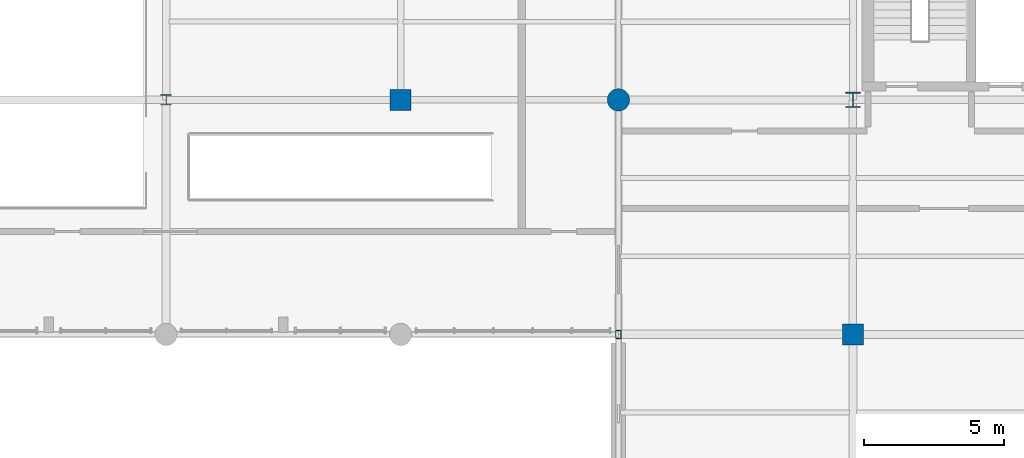
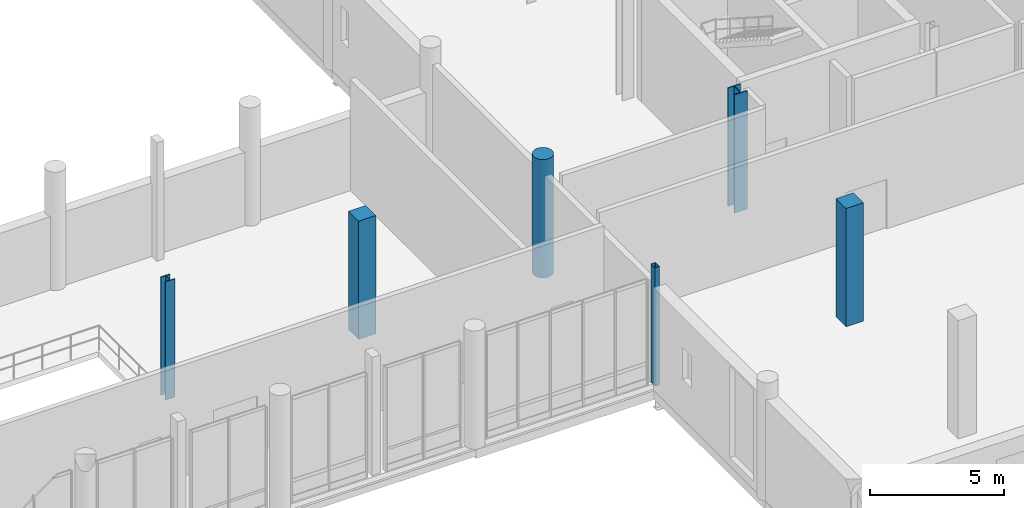
# One storey, part 6 of 128: 6 columns.
"""IFC4 building model written with IfcOpenShell, lengths in metres."""

import ifcopenshell
import ifcopenshell.guid

model = None  # the IFC model being written
_history = None  # IfcOwnerHistory: only IFC2X3 demands one
_inside = {}  # id of a spatial element -> (the spatial element, [elements in it])
_under = {}  # id of a project, library or spatial element -> (it, [spatial elements below it])
_declared = {}  # id of a project -> (the project, [libraries it declares])
_typed = {}  # id of a type object -> (the type object, [elements of that type])
_made_of = {}  # id of a material, layer set ... -> (it, [elements and type objects made of it])


def new_model(schema):
    """Start an empty IFC model of exactly this schema.

    Asked for "IFC4X3", IfcOpenShell would pick the latest addendum, in which some entities
    have other attributes; the version numbers below select the first issue.
    IFC2X3 requires an IfcOwnerHistory on every rooted entity: one is made here for all.
    """
    global model, _history
    if schema == "IFC4X3":
        model = ifcopenshell.file(schema_version=(4, 3, 0, 0))
    else:
        model = ifcopenshell.file(schema=schema)
    _inside.clear()
    _under.clear()
    _declared.clear()
    _typed.clear()
    _made_of.clear()
    _history = None
    if model.schema == "IFC2X3":
        org = make("IfcOrganization", Name="unknown")
        user = make(
            "IfcPersonAndOrganization",
            ThePerson=make("IfcPerson", FamilyName="unknown"),
            TheOrganization=org,
        )
        app = make(
            "IfcApplication",
            ApplicationDeveloper=org,
            Version="unknown",
            ApplicationFullName="unknown",
            ApplicationIdentifier="unknown",
        )
        _history = make(
            "IfcOwnerHistory",
            OwningUser=user,
            OwningApplication=app,
            ChangeAction="ADDED",
            CreationDate=0,
        )
    return model


def make(cls, **values):
    """One entity of the class cls with the attributes given. An attribute that is None is left unset."""
    return model.create_entity(
        cls, **{name: value for name, value in values.items() if value is not None}
    )


def rooted(cls, **values):
    """An entity with a GlobalId (a new one), such as an element, a storey or a relation."""
    return make(cls, GlobalId=ifcopenshell.guid.new(), OwnerHistory=_history, **values)


def si_unit(unit_type, name, prefix=None):
    """IfcSIUnit, for example si_unit("LENGTHUNIT", "METRE", prefix="MILLI")."""
    return make("IfcSIUnit", UnitType=unit_type, Prefix=prefix, Name=name)


def assignment(units):
    """IfcUnitAssignment: the units of a project."""
    return None if units is None else make("IfcUnitAssignment", Units=units)


def point(xyz):
    """IfcCartesianPoint."""
    return None if xyz is None else make("IfcCartesianPoint", Coordinates=xyz)


def direction(xyz):
    """IfcDirection."""
    return None if xyz is None else make("IfcDirection", DirectionRatios=xyz)


def frame(location, z_axis=None, x_axis=None):
    """IfcAxis2Placement3D, a coordinate frame: its origin and axes. An axis left out is left unset."""
    return make(
        "IfcAxis2Placement3D",
        Location=point(location),
        Axis=direction(z_axis),
        RefDirection=direction(x_axis),
    )


def frame_2d(location, x_axis=None):
    """IfcAxis2Placement2D, a coordinate frame in the plane: its origin and x axis."""
    return make(
        "IfcAxis2Placement2D", Location=point(location), RefDirection=direction(x_axis)
    )


def origin_with_axes():
    """The frame at (0, 0, 0) with the z axis (0, 0, 1) and the x axis (1, 0, 0) written out."""
    return frame((0.0, 0.0, 0.0), z_axis=(0.0, 0.0, 1.0), x_axis=(1.0, 0.0, 0.0))


def origin_2d_with_axis():
    """The frame at (0, 0) in the plane with the x axis (1, 0) written out."""
    return frame_2d((0.0, 0.0), x_axis=(1.0, 0.0))


def place(relative_to, where):
    """IfcLocalPlacement: puts the frame where relative to a parent placement (None: the world)."""
    return make(
        "IfcLocalPlacement", PlacementRelTo=relative_to, RelativePlacement=where
    )


def context(
    kind, dimensions, precision=None, world=None, true_north=None, identifier=None
):
    """IfcGeometricRepresentationContext, for example the 3D "Model" context."""
    return make(
        "IfcGeometricRepresentationContext",
        ContextIdentifier=identifier,
        ContextType=kind,
        CoordinateSpaceDimension=dimensions,
        Precision=precision,
        WorldCoordinateSystem=world,
        TrueNorth=true_north,
    )


def subcontext(parent, identifier, kind, view, scale=None):
    """IfcGeometricRepresentationSubContext, for example "Body" below "Model"."""
    return make(
        "IfcGeometricRepresentationSubContext",
        ContextIdentifier=identifier,
        ContextType=kind,
        ParentContext=parent,
        TargetScale=scale,
        TargetView=view,
    )


def project(units=None, contexts=None):
    """IfcProject with its units and contexts."""
    return rooted(
        "IfcProject",
        Name="project",
        RepresentationContexts=contexts,
        UnitsInContext=assignment(units),
    )


def spatial(cls, under=None, at=None, **own):
    """A site, building, storey or space (cls), placed at a placement, below another one or the project."""
    s = rooted(cls, ObjectPlacement=at, **own)
    if under is not None:
        _under.setdefault(under.id(), (under, []))[1].append(s)
    return s


def profile(cls, at=None, kind="AREA", **sizes):
    """A parametric profile (cls). Its sizes go by their IFC names, for example OverallWidth=200.0."""
    return make(cls, ProfileType=kind, Position=at, **sizes)


def rectangle(**sizes):
    """IfcRectangleProfileDef."""
    return profile("IfcRectangleProfileDef", **sizes)


def hollow_rectangle(**sizes):
    """IfcRectangleHollowProfileDef."""
    return profile("IfcRectangleHollowProfileDef", **sizes)


def circle(**sizes):
    """IfcCircleProfileDef."""
    return profile("IfcCircleProfileDef", **sizes)


def i_section(**sizes):
    """IfcIShapeProfileDef."""
    return profile("IfcIShapeProfileDef", **sizes)


def extrude(swept, where, along, depth):
    """IfcExtrudedAreaSolid: the profile swept, set in the frame where, extruded along a direction by depth."""
    return make(
        "IfcExtrudedAreaSolid",
        SweptArea=swept,
        Position=where,
        ExtrudedDirection=direction(along),
        Depth=depth,
    )


def shape(context_of_items, identifier, shape_type, items):
    """IfcShapeRepresentation: the items that make up one representation, for example the "Body"."""
    return make(
        "IfcShapeRepresentation",
        ContextOfItems=context_of_items,
        RepresentationIdentifier=identifier,
        RepresentationType=shape_type,
        Items=items,
    )


def material(Name=None, Category=None):
    """IfcMaterial."""
    return make("IfcMaterial", Name=Name, Category=Category)


def material_profile(
    of_material, cross_section, Name=None, Category=None, Priority=None
):
    """IfcMaterialProfile: a cross section and its material."""
    return make(
        "IfcMaterialProfile",
        Name=Name,
        Material=of_material,
        Profile=cross_section,
        Priority=Priority,
        Category=Category,
    )


def profile_set(profiles, Name=None, composite=None):
    """IfcMaterialProfileSet."""
    return make(
        "IfcMaterialProfileSet",
        Name=Name,
        MaterialProfiles=profiles,
        CompositeProfile=composite,
    )


def made_of(thing, what):
    """Note that an element or type object is made of a material, layer set ...; save() writes the relation."""
    if what is not None:
        _made_of.setdefault(what.id(), (what, []))[1].append(thing)
    return thing


def type_object(cls, material=None, **own):
    """A type object (cls), such as IfcWallType, which elements share."""
    return made_of(rooted(cls, **own), material)


def element(
    cls,
    number,
    at=None,
    inside=None,
    cuts=None,
    type_object=None,
    material=None,
    context=None,
    identifier="Body",
    shape_type=None,
    held_by="IfcProductDefinitionShape",
    body=None,
    shapes=None,
    **own,
):
    """One element of the class cls, such as IfcWall. Its Tag is "e" and its number.

    at: its placement. inside: the storey or other place that contains it. cuts: it is an
    opening in that element (IfcRelVoidsElement). A single representation is given by context,
    identifier, shape_type and body (its items); several are given by shapes. held_by: the class
    of the entity that holds the representations. save() writes the other relations.
    """
    e = rooted(cls, Tag="e%d" % number, ObjectPlacement=at, **own)
    if body is not None:
        shapes = [shape(context, identifier, shape_type, body)]
    if shapes is not None:
        e.Representation = make(held_by, Representations=shapes)
    if inside is not None:
        _inside.setdefault(inside.id(), (inside, []))[1].append(e)
    if cuts is not None:
        rooted(
            "IfcRelVoidsElement", RelatingBuildingElement=cuts, RelatedOpeningElement=e
        )
    if type_object is not None:
        _typed.setdefault(type_object.id(), (type_object, []))[1].append(e)
    return made_of(e, material)


def aggregate(whole, parts):
    """IfcRelAggregates: a whole, such as a stair, and the parts it consists of."""
    return rooted("IfcRelAggregates", RelatingObject=whole, RelatedObjects=parts)


def save(model, path):
    """Write the relations noted so far, then the file.

    IfcRelAggregates (storeys below a building ...), IfcRelContainedInSpatialStructure (elements
    in a storey), IfcRelDefinesByType, IfcRelAssociatesMaterial and IfcRelDeclares: one each for
    every whole, place, type object, material and project.
    """
    for whole, parts in _under.values():
        aggregate(whole, parts)
    for where, things in _inside.values():
        rooted(
            "IfcRelContainedInSpatialStructure",
            RelatedElements=things,
            RelatingStructure=where,
        )
    for kind, things in _typed.values():
        rooted("IfcRelDefinesByType", RelatedObjects=things, RelatingType=kind)
    for what, things in _made_of.values():
        rooted("IfcRelAssociatesMaterial", RelatedObjects=things, RelatingMaterial=what)
    for by, libraries in _declared.values():
        rooted("IfcRelDeclares", RelatingContext=by, RelatedDefinitions=libraries)
    model.write(path)


model = new_model("IFC4")

# Units and contexts
model_context = context("Model", 3, precision=1e-05, world=origin_with_axes(), true_north=direction((0.0, 1.0)))
body_context = subcontext(model_context, "Body", "Model", "MODEL_VIEW")
ifc_project = project(units=[si_unit("LENGTHUNIT", "METRE"), si_unit("AREAUNIT", "SQUARE_METRE"), si_unit("VOLUMEUNIT", "CUBIC_METRE"), si_unit("PLANEANGLEUNIT", "RADIAN"), si_unit("MASSUNIT", "GRAM", prefix="KILO"), si_unit("THERMODYNAMICTEMPERATUREUNIT", "KELVIN")], contexts=[model_context])

# Site, building, storey
site_placement = place(None, origin_with_axes())
site = spatial("IfcSite", under=ifc_project, at=site_placement, CompositionType="ELEMENT")
building_placement = place(site_placement, origin_with_axes())
building = spatial("IfcBuilding", under=site, at=building_placement, Name="Montbau Bow Law Courts", CompositionType="ELEMENT")
storey_placement = place(building_placement, frame((0.0, 0.0, 5.4), z_axis=(0.0, 0.0, 1.0), x_axis=(1.0, 0.0, 0.0)))
storey = spatial("IfcBuildingStorey", under=building, at=storey_placement, Name="L01", CompositionType="ELEMENT", Elevation=5.4)

# Columns
ifc_material_1 = material(Name="Steel CSA G40.21 Grade 350WT (350 MPa)", Category="steel")
ifc_material_profile_1 = material_profile(ifc_material_1, hollow_rectangle(XDim=0.203, YDim=0.305, WallThickness=0.0127, InnerFilletRadius=0.0254, OuterFilletRadius=0.0127, at=origin_2d_with_axis()), Name="HSS305X203X13", Category="Main", Priority=0)
ifc_profile_set_1 = profile_set([ifc_material_profile_1], Name="Steel CSA G40.21 Grade 350WT (350 MPa)")
column_type_1 = type_object("IfcColumnType", Name="C-HSS-03", PredefinedType="COLUMN", material=ifc_profile_set_1)
column_1_placement = place(None, frame((121.8, 22.2, 5.4), z_axis=(0.0, 0.0, 1.0), x_axis=(1.0, 0.0, 0.0)))
element("IfcColumn", 1, at=column_1_placement, inside=storey, type_object=column_type_1, Name="C-L01-S0441:col2_0441", PredefinedType="COLUMN", context=body_context, shape_type="SweptSolid", body=[
    extrude(hollow_rectangle(XDim=0.203, YDim=0.305, WallThickness=0.0127, InnerFilletRadius=0.0254, OuterFilletRadius=0.0127, at=origin_2d_with_axis()), origin_with_axes(), (0.0, 0.0, 1.0), 5.4),
])
ifc_material_2 = material(Name="Concrete CSA A23.1 f'c 40 MPa", Category="concrete")
ifc_material_profile_2 = material_profile(ifc_material_2, rectangle(XDim=0.75, YDim=0.75, at=origin_2d_with_axis()), Name="RC750X750", Category="Main", Priority=0)
ifc_profile_set_2 = profile_set([ifc_material_profile_2], Name="Concrete CSA A23.1 f'c 40 MPa")
column_type_2 = type_object("IfcColumnType", Name="C-RC-03", PredefinedType="COLUMN", material=ifc_profile_set_2)
for number, where, z_axis, x_axis, name in (
    (2, (114.0, 30.6, 5.4), (0.0, 0.0, 1.0), (1.0, 0.0, 0.0), "C-L01-S0437:col2_0437"),
    (3, (130.2, 22.2, 5.4), (0.0, 0.0, 1.0), (1.0, 0.0, 0.0), "C-L01-S0449:col2_0449"),
):
    element("IfcColumn", number, at=place(None, frame(where, z_axis=z_axis, x_axis=x_axis)), inside=storey, type_object=column_type_2, Name=name, PredefinedType="COLUMN", context=body_context, shape_type="SweptSolid", body=[
        extrude(rectangle(XDim=0.75, YDim=0.75, at=origin_2d_with_axis()), origin_with_axes(), (0.0, 0.0, 1.0), 5.4),
    ])
ifc_material_profile_3 = material_profile(ifc_material_2, circle(Radius=0.4, at=origin_2d_with_axis()), Name="RC800D", Category="Main", Priority=0)
ifc_profile_set_3 = profile_set([ifc_material_profile_3], Name="Concrete CSA A23.1 f'c 40 MPa")
column_type_3 = type_object("IfcColumnType", Name="C-RC-07", PredefinedType="COLUMN", material=ifc_profile_set_3)
column_2_placement = place(None, frame((121.8, 30.6, 5.4), z_axis=(0.0, 0.0, 1.0), x_axis=(1.0, 0.0, 0.0)))
element("IfcColumn", 4, at=column_2_placement, inside=storey, type_object=column_type_3, Name="C-L01-S0442:col2_0442", PredefinedType="COLUMN", context=body_context, shape_type="SweptSolid", body=[
    extrude(circle(Radius=0.4, at=origin_2d_with_axis()), origin_with_axes(), (0.0, 0.0, 1.0), 5.4),
])
ifc_material_3 = material(Name="Steel CSA G40.21 Grade 350W (350 MPa)", Category="steel")
ifc_material_profile_4 = material_profile(ifc_material_3, i_section(OverallWidth=0.55, OverallDepth=0.55, WebThickness=0.025, FlangeThickness=0.042, at=origin_2d_with_axis()), Name="WWF550X420", Category="Main", Priority=0)
ifc_profile_set_4 = profile_set([ifc_material_profile_4], Name="Steel CSA G40.21 Grade 350W (350 MPa)")
column_type_4 = type_object("IfcColumnType", Name="C-STL-01", PredefinedType="COLUMN", material=ifc_profile_set_4)
column_3_placement = place(None, frame((130.2, 30.6, 5.4), z_axis=(0.0, 0.0, 1.0), x_axis=(1.0, 0.0, 0.0)))
element("IfcColumn", 5, at=column_3_placement, inside=storey, type_object=column_type_4, Name="C-L01-S0450:col2_0450", PredefinedType="COLUMN", context=body_context, shape_type="SweptSolid", body=[
    extrude(i_section(OverallWidth=0.55, OverallDepth=0.55, WebThickness=0.025, FlangeThickness=0.042, at=origin_2d_with_axis()), origin_with_axes(), (0.0, 0.0, 1.0), 5.4),
])
ifc_material_profile_5 = material_profile(ifc_material_3, i_section(OverallWidth=0.395, OverallDepth=0.38, WebThickness=0.0189, FlangeThickness=0.0302, at=origin_2d_with_axis()), Name="W360X237", Category="Main", Priority=0)
ifc_profile_set_5 = profile_set([ifc_material_profile_5], Name="Steel CSA G40.21 Grade 350W (350 MPa)")
column_type_5 = type_object("IfcColumnType", Name="C-STL-03", PredefinedType="COLUMN", material=ifc_profile_set_5)
column_4_placement = place(None, frame((105.6, 30.6, 5.4), z_axis=(0.0, 0.0, 1.0), x_axis=(1.0, 0.0, 0.0)))
element("IfcColumn", 6, at=column_4_placement, inside=storey, type_object=column_type_5, Name="C-L01-S0434:col2_0434", PredefinedType="COLUMN", context=body_context, shape_type="SweptSolid", body=[
    extrude(i_section(OverallWidth=0.395, OverallDepth=0.38, WebThickness=0.0189, FlangeThickness=0.0302, at=origin_2d_with_axis()), origin_with_axes(), (0.0, 0.0, 1.0), 5.4),
])

save(model, "model.ifc")
